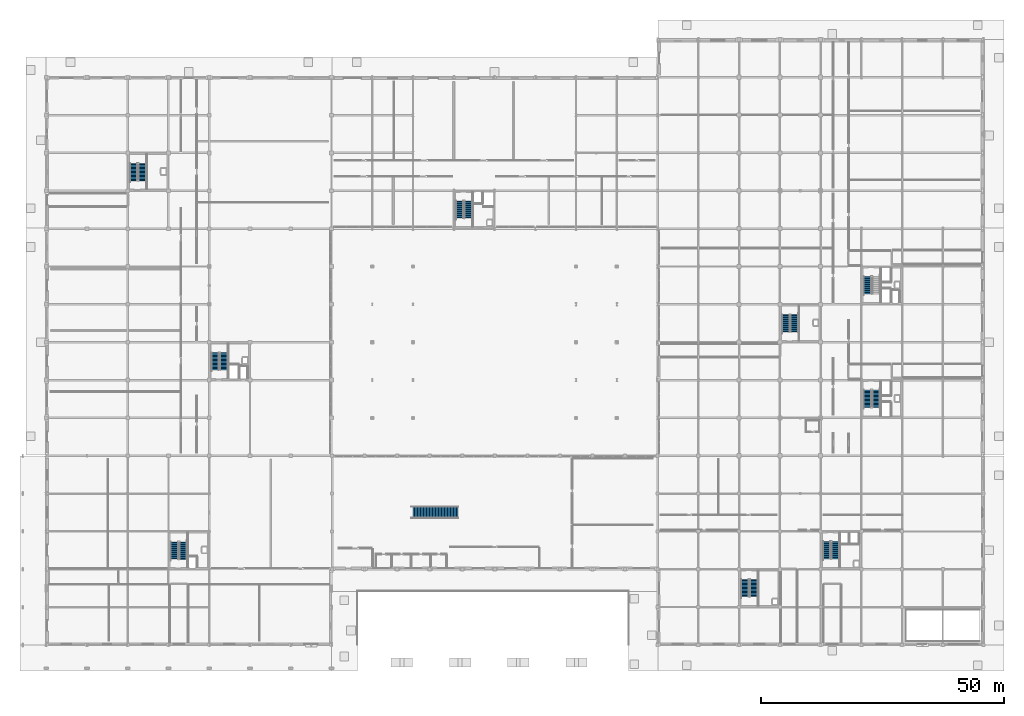
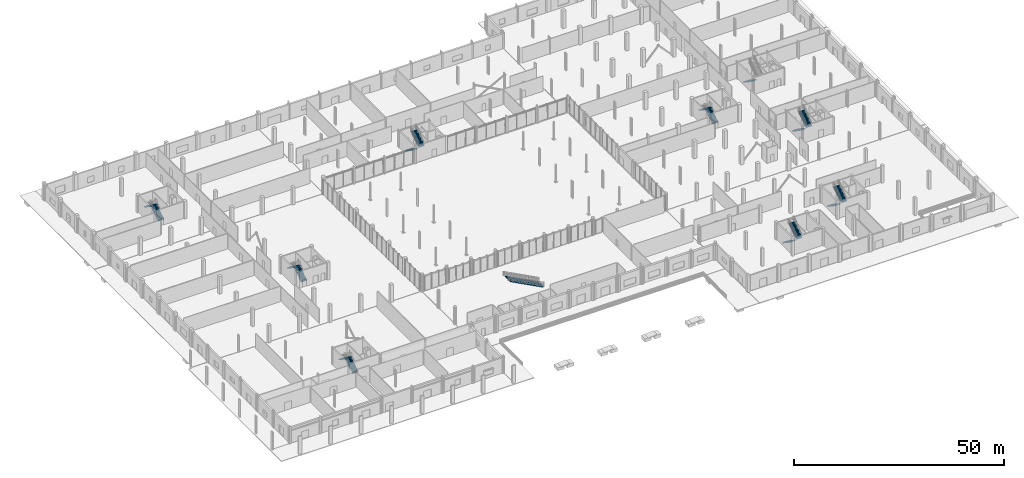
# One storey, part 60 of 80: 18 stair flights, 10 elements without a shape of their own.
"""IFC4 building model written with IfcOpenShell, lengths in metres."""

from ifc_helpers import new_model, si_unit, direction, frame, origin, place, context, subcontext, project, spatial, polyline, outline, extrude, material, type_object, element, aggregate, save


model = new_model("IFC4")

# Units and contexts
model_context = context("Model", 3, precision=1e-05, world=origin(), true_north=direction((0.0, 1.0)))
body_context = subcontext(model_context, "Body", "Model", "MODEL_VIEW")
ifc_project = project(units=[si_unit("LENGTHUNIT", "METRE"), si_unit("AREAUNIT", "SQUARE_METRE"), si_unit("VOLUMEUNIT", "CUBIC_METRE"), si_unit("PLANEANGLEUNIT", "RADIAN"), si_unit("MASSUNIT", "GRAM", prefix="KILO")], contexts=[model_context])

# Site, building, storey
site_placement = place(None, origin())
site = spatial("IfcSite", under=ifc_project, at=site_placement, CompositionType="ELEMENT")
building_placement = place(site_placement, origin())
building = spatial("IfcBuilding", under=site, at=building_placement, Name="Nabrawat Pavilion Hospital", CompositionType="ELEMENT")
storey_placement = place(building_placement, origin())
storey = spatial("IfcBuildingStorey", under=building, at=storey_placement, Name="L00", CompositionType="ELEMENT", Elevation=0.0)

# Stair, stair flight
ifc_material_1 = material(Name="Precast concrete C40/50", Category="concrete")
stair_type_1 = type_object("IfcStairType", Name="Monumental Pavilion Feature Straight Stair", PredefinedType="STRAIGHT_RUN_STAIR", material=ifc_material_1)
stair_1_placement = place(storey_placement, origin())
stair_1 = element("IfcStair", 1, at=stair_1_placement, inside=storey, type_object=stair_type_1, Name="L00 Main Concourse Monumental Gallery Stair", PredefinedType="STRAIGHT_RUN_STAIR")
stair_flight_type_1 = type_object("IfcStairFlightType", Name="Monumental Concourse Stair Flight 2400", PredefinedType="STRAIGHT", material=ifc_material_1)
stair_flight_1_placement = place(storey_placement, frame((84.89990234375, 27.300048828125, 0.0), z_axis=(0.0, 0.0, 1.0), x_axis=(-1.0, 0.0, 0.0)))
stair_flight_1 = element("IfcStairFlight", 2, at=stair_flight_1_placement, type_object=stair_flight_type_1, Name="L00 Main Concourse Monumental Gallery Stair Flight", NumberOfRisers=31, NumberOfTreads=30, PredefinedType="STRAIGHT", RiserHeight=0.16452, TreadLength=0.3102, context=body_context, shape_type="SweptSolid", body=[
    extrude(outline(polyline([(-0.008056640625, 0.0), (0.0, 0.0), (0.0, 0.16455078125), (0.310302734375, 0.16455078125), (0.310302734375, 0.3291015625), (0.620361328125, 0.3291015625), (0.620361328125, 0.49365234375), (0.9306640625, 0.49365234375), (0.9306640625, 0.657958984375), (1.24072265625, 0.657958984375), (1.24072265625, 0.822509765625), (1.551025390625, 0.822509765625), (1.551025390625, 0.987060546875), (1.861083984375, 0.987060546875), (1.861083984375, 1.151611328125), (2.17138671875, 1.151611328125), (2.17138671875, 1.316162109375), (2.481689453125, 1.316162109375), (2.481689453125, 1.480712890625), (2.791748046875, 1.480712890625), (2.791748046875, 1.645263671875), (3.10205078125, 1.645263671875), (3.10205078125, 1.809814453125), (3.412109375, 1.809814453125), (3.412109375, 1.97412109375), (3.722412109375, 1.97412109375), (3.722412109375, 2.138671875), (4.03271484375, 2.138671875), (4.03271484375, 2.30322265625), (4.3427734375, 2.30322265625), (4.3427734375, 2.4677734375), (4.653076171875, 2.4677734375), (4.653076171875, 2.63232421875), (4.963134765625, 2.63232421875), (4.963134765625, 2.796875), (5.2734375, 2.796875), (5.2734375, 2.96142578125), (5.58349609375, 2.96142578125), (5.58349609375, 3.1259765625), (5.893798828125, 3.1259765625), (5.893798828125, 3.290283203125), (6.2041015625, 3.290283203125), (6.2041015625, 3.454833984375), (6.51416015625, 3.454833984375), (6.51416015625, 3.619384765625), (6.824462890625, 3.619384765625), (6.824462890625, 3.783935546875), (7.134521484375, 3.783935546875), (7.134521484375, 3.948486328125), (7.44482421875, 3.948486328125), (7.44482421875, 4.113037109375), (7.7548828125, 4.113037109375), (7.7548828125, 4.277587890625), (8.065185546875, 4.277587890625), (8.065185546875, 4.442138671875), (8.37548828125, 4.442138671875), (8.37548828125, 4.6064453125), (8.685546875, 4.6064453125), (8.685546875, 4.77099609375), (8.995849609375, 4.77099609375), (8.995849609375, 4.935546875), (9.305908203125, 4.935546875), (9.305908203125, 5.10009765625), (9.31396484375, 5.10009765625), (9.31396484375, 4.900146484375), (9.305908203125, 4.709228515625), (0.4267578125, 0.0), (-0.008056640625, -0.1201171875), (-0.008056640625, 0.0)])), frame((0.0, 1.199951171875, 0.0), z_axis=(0.0, -1.0, 0.0), x_axis=(1.0, 0.0, 0.0)), (0.0, 0.0, 1.0), 2.39990234375),
])
aggregate(stair_1, [stair_flight_1])

# Stair, stair flights
ifc_material_2 = material(Name="Concrete C35/45", Category="concrete")
stair_type_2 = type_object("IfcStairType", Name="Core Dogleg Escape Stair Assembly", PredefinedType="HALF_TURN_STAIR", material=ifc_material_2)
stair_2_placement = place(storey_placement, origin())
stair_2 = element("IfcStair", 3, at=stair_2_placement, inside=storey, type_object=stair_type_2, Name="L00 Emergency Stair and Lift Core 1", PredefinedType="HALF_TURN_STAIR")
stair_flight_type_2 = type_object("IfcStairFlightType", Name="Reinforced Concrete Escape Stair Flight 1600", PredefinedType="STRAIGHT", material=ifc_material_2)
stair_flight_2_placement = place(storey_placement, frame((28.25, 17.669921875, 0.0), z_axis=(0.0, 0.0, 1.0), x_axis=(0.0, 1.0, 0.0)))
stair_flight_2 = element("IfcStairFlight", 4, at=stair_flight_2_placement, type_object=stair_flight_type_2, Name="ST-01 flight 1", NumberOfRisers=14, NumberOfTreads=13, PredefinedType="STRAIGHT", RiserHeight=0.182142857, TreadLength=0.275, context=body_context, shape_type="SweptSolid", body=[
    extrude(outline(polyline([(-0.008056640625, 0.0), (0.0, 0.0), (0.0, 0.18212890625), (0.27490234375, 0.18212890625), (0.27490234375, 0.3642578125), (0.550048828125, 0.3642578125), (0.550048828125, 0.54638671875), (0.824951171875, 0.54638671875), (0.824951171875, 0.728515625), (1.10009765625, 0.728515625), (1.10009765625, 0.91064453125), (1.375, 0.91064453125), (1.375, 1.0927734375), (1.64990234375, 1.0927734375), (1.64990234375, 1.27490234375), (1.925048828125, 1.27490234375), (1.925048828125, 1.45703125), (2.199951171875, 1.45703125), (2.199951171875, 1.639404296875), (2.47509765625, 1.639404296875), (2.47509765625, 1.821533203125), (2.75, 1.821533203125), (2.75, 2.003662109375), (3.02490234375, 2.003662109375), (3.02490234375, 2.185791015625), (3.300048828125, 2.185791015625), (3.300048828125, 2.367919921875), (3.574951171875, 2.367919921875), (3.574951171875, 2.550048828125), (3.5830078125, 2.550048828125), (3.5830078125, 2.400146484375), (3.574951171875, 2.18798828125), (0.271484375, 0.0), (-0.008056640625, -0.1201171875), (-0.008056640625, 0.0)])), frame((0.0, 0.800048828125, 0.0), z_axis=(0.0, -1.0, 0.0), x_axis=(1.0, 0.0, 0.0)), (0.0, 0.0, 1.0), 1.60009765625),
])
stair_flight_3_placement = place(storey_placement, frame((26.449951171875, 21.2451171875, 2.550048828125), z_axis=(0.0, 0.0, 1.0), x_axis=(0.0, -1.0, 0.0)))
stair_flight_3 = element("IfcStairFlight", 5, at=stair_flight_3_placement, type_object=stair_flight_type_2, Name="ST-01 flight 2", NumberOfRisers=14, NumberOfTreads=13, PredefinedType="STRAIGHT", RiserHeight=0.182142857, TreadLength=0.275, context=body_context, shape_type="SweptSolid", body=[
    extrude(outline(polyline([(-0.008056640625, 0.0), (0.0, 0.0), (0.0, 0.18212890625), (0.27490234375, 0.18212890625), (0.27490234375, 0.3642578125), (0.550048828125, 0.3642578125), (0.550048828125, 0.54638671875), (0.824951171875, 0.54638671875), (0.824951171875, 0.728515625), (1.10009765625, 0.728515625), (1.10009765625, 0.91064453125), (1.375, 0.91064453125), (1.375, 1.0927734375), (1.64990234375, 1.0927734375), (1.64990234375, 1.27490234375), (1.925048828125, 1.27490234375), (1.925048828125, 1.45703125), (2.199951171875, 1.45703125), (2.199951171875, 1.639404296875), (2.47509765625, 1.639404296875), (2.47509765625, 1.821533203125), (2.75, 1.821533203125), (2.75, 2.003662109375), (3.02490234375, 2.003662109375), (3.02490234375, 2.185791015625), (3.300048828125, 2.185791015625), (3.300048828125, 2.367919921875), (3.574951171875, 2.367919921875), (3.574951171875, 2.550048828125), (3.5830078125, 2.550048828125), (3.5830078125, 2.400146484375), (3.574951171875, 2.18798828125), (0.271484375, 0.0), (-0.008056640625, -0.1201171875), (-0.008056640625, 0.0)])), frame((0.0, 0.800048828125, 0.0), z_axis=(0.0, -1.0, 0.0), x_axis=(1.0, 0.0, 0.0)), (0.0, 0.0, 1.0), 1.60009765625),
])
aggregate(stair_2, [stair_flight_2, stair_flight_3])

stair_3_placement = place(storey_placement, origin())
stair_3 = element("IfcStair", 6, at=stair_3_placement, inside=storey, type_object=stair_type_2, Name="L00 Surgical Stair and Bed-Lift Core 2", PredefinedType="HALF_TURN_STAIR")
stair_flight_4_placement = place(storey_placement, frame((36.64990234375, 56.669921875, 0.0), z_axis=(0.0, 0.0, 1.0), x_axis=(0.0, 1.0, 0.0)))
stair_flight_4 = element("IfcStairFlight", 7, at=stair_flight_4_placement, type_object=stair_flight_type_2, Name="ST-02 flight 1", NumberOfRisers=14, NumberOfTreads=13, PredefinedType="STRAIGHT", RiserHeight=0.182142857, TreadLength=0.275, context=body_context, shape_type="SweptSolid", body=[
    extrude(outline(polyline([(-0.008056640625, 0.0), (0.0, 0.0), (0.0, 0.18212890625), (0.27490234375, 0.18212890625), (0.27490234375, 0.3642578125), (0.550048828125, 0.3642578125), (0.550048828125, 0.54638671875), (0.824951171875, 0.54638671875), (0.824951171875, 0.728515625), (1.10009765625, 0.728515625), (1.10009765625, 0.91064453125), (1.375, 0.91064453125), (1.375, 1.0927734375), (1.64990234375, 1.0927734375), (1.64990234375, 1.27490234375), (1.925048828125, 1.27490234375), (1.925048828125, 1.45703125), (2.199951171875, 1.45703125), (2.199951171875, 1.639404296875), (2.47509765625, 1.639404296875), (2.47509765625, 1.821533203125), (2.75, 1.821533203125), (2.75, 2.003662109375), (3.02490234375, 2.003662109375), (3.02490234375, 2.185791015625), (3.300048828125, 2.185791015625), (3.300048828125, 2.367919921875), (3.574951171875, 2.367919921875), (3.574951171875, 2.550048828125), (3.5830078125, 2.550048828125), (3.5830078125, 2.400146484375), (3.574951171875, 2.18798828125), (0.271484375, 0.0), (-0.008056640625, -0.1201171875), (-0.008056640625, 0.0)])), frame((0.0, 0.800048828125, 0.0), z_axis=(0.0, -1.0, 0.0), x_axis=(1.0, 0.0, 0.0)), (0.0, 0.0, 1.0), 1.60009765625),
])
stair_flight_5_placement = place(storey_placement, frame((34.85009765625, 60.2451171875, 2.550048828125), z_axis=(0.0, 0.0, 1.0), x_axis=(0.0, -1.0, 0.0)))
stair_flight_5 = element("IfcStairFlight", 8, at=stair_flight_5_placement, type_object=stair_flight_type_2, Name="ST-02 flight 2", NumberOfRisers=14, NumberOfTreads=13, PredefinedType="STRAIGHT", RiserHeight=0.182142857, TreadLength=0.275, context=body_context, shape_type="SweptSolid", body=[
    extrude(outline(polyline([(-0.008056640625, 0.0), (0.0, 0.0), (0.0, 0.18212890625), (0.27490234375, 0.18212890625), (0.27490234375, 0.3642578125), (0.550048828125, 0.3642578125), (0.550048828125, 0.54638671875), (0.824951171875, 0.54638671875), (0.824951171875, 0.728515625), (1.10009765625, 0.728515625), (1.10009765625, 0.91064453125), (1.375, 0.91064453125), (1.375, 1.0927734375), (1.64990234375, 1.0927734375), (1.64990234375, 1.27490234375), (1.925048828125, 1.27490234375), (1.925048828125, 1.45703125), (2.199951171875, 1.45703125), (2.199951171875, 1.639404296875), (2.47509765625, 1.639404296875), (2.47509765625, 1.821533203125), (2.75, 1.821533203125), (2.75, 2.003662109375), (3.02490234375, 2.003662109375), (3.02490234375, 2.185791015625), (3.300048828125, 2.185791015625), (3.300048828125, 2.367919921875), (3.574951171875, 2.367919921875), (3.574951171875, 2.550048828125), (3.5830078125, 2.550048828125), (3.5830078125, 2.400146484375), (3.574951171875, 2.18798828125), (0.271484375, 0.0), (-0.008056640625, -0.1201171875), (-0.008056640625, 0.0)])), frame((0.0, 0.800048828125, 0.0), z_axis=(0.0, -1.0, 0.0), x_axis=(1.0, 0.0, 0.0)), (0.0, 0.0, 1.0), 1.60009765625),
])
aggregate(stair_3, [stair_flight_4, stair_flight_5])

stair_4_placement = place(storey_placement, origin())
stair_4 = element("IfcStair", 9, at=stair_4_placement, inside=storey, type_object=stair_type_2, Name="L00 Diagnostic and Main Hall Core 3", PredefinedType="HALF_TURN_STAIR")
stair_flight_6_placement = place(storey_placement, frame((85.25, 91.530029296875, 0.0), z_axis=(0.0, 0.0, 1.0), x_axis=(0.0, -1.0, 0.0)))
stair_flight_6 = element("IfcStairFlight", 10, at=stair_flight_6_placement, type_object=stair_flight_type_2, Name="ST-03 flight 1", NumberOfRisers=14, NumberOfTreads=13, PredefinedType="STRAIGHT", RiserHeight=0.182142857, TreadLength=0.275, context=body_context, shape_type="SweptSolid", body=[
    extrude(outline(polyline([(-0.008056640625, 0.0), (0.0, 0.0), (0.0, 0.18212890625), (0.27490234375, 0.18212890625), (0.27490234375, 0.3642578125), (0.550048828125, 0.3642578125), (0.550048828125, 0.54638671875), (0.824951171875, 0.54638671875), (0.824951171875, 0.728515625), (1.10009765625, 0.728515625), (1.10009765625, 0.91064453125), (1.375, 0.91064453125), (1.375, 1.0927734375), (1.64990234375, 1.0927734375), (1.64990234375, 1.27490234375), (1.925048828125, 1.27490234375), (1.925048828125, 1.45703125), (2.199951171875, 1.45703125), (2.199951171875, 1.639404296875), (2.47509765625, 1.639404296875), (2.47509765625, 1.821533203125), (2.75, 1.821533203125), (2.75, 2.003662109375), (3.02490234375, 2.003662109375), (3.02490234375, 2.185791015625), (3.300048828125, 2.185791015625), (3.300048828125, 2.367919921875), (3.574951171875, 2.367919921875), (3.574951171875, 2.550048828125), (3.5830078125, 2.550048828125), (3.5830078125, 2.400146484375), (3.574951171875, 2.18798828125), (0.271484375, 0.0), (-0.008056640625, -0.1201171875), (-0.008056640625, 0.0)])), frame((0.0, 0.800048828125, 0.0), z_axis=(0.0, -1.0, 0.0), x_axis=(1.0, 0.0, 0.0)), (0.0, 0.0, 1.0), 1.60009765625),
])
stair_flight_7_placement = place(storey_placement, frame((87.050048828125, 87.955078125, 2.550048828125), z_axis=(0.0, 0.0, 1.0), x_axis=(0.0, 1.0, 0.0)))
stair_flight_7 = element("IfcStairFlight", 11, at=stair_flight_7_placement, type_object=stair_flight_type_2, Name="ST-03 flight 2", NumberOfRisers=14, NumberOfTreads=13, PredefinedType="STRAIGHT", RiserHeight=0.182142857, TreadLength=0.275, context=body_context, shape_type="SweptSolid", body=[
    extrude(outline(polyline([(-0.008056640625, 0.0), (0.0, 0.0), (0.0, 0.18212890625), (0.27490234375, 0.18212890625), (0.27490234375, 0.3642578125), (0.550048828125, 0.3642578125), (0.550048828125, 0.54638671875), (0.824951171875, 0.54638671875), (0.824951171875, 0.728515625), (1.10009765625, 0.728515625), (1.10009765625, 0.91064453125), (1.375, 0.91064453125), (1.375, 1.0927734375), (1.64990234375, 1.0927734375), (1.64990234375, 1.27490234375), (1.925048828125, 1.27490234375), (1.925048828125, 1.45703125), (2.199951171875, 1.45703125), (2.199951171875, 1.639404296875), (2.47509765625, 1.639404296875), (2.47509765625, 1.821533203125), (2.75, 1.821533203125), (2.75, 2.003662109375), (3.02490234375, 2.003662109375), (3.02490234375, 2.185791015625), (3.300048828125, 2.185791015625), (3.300048828125, 2.367919921875), (3.574951171875, 2.367919921875), (3.574951171875, 2.550048828125), (3.5830078125, 2.550048828125), (3.5830078125, 2.400146484375), (3.574951171875, 2.18798828125), (0.271484375, 0.0), (-0.008056640625, -0.1201171875), (-0.008056640625, 0.0)])), frame((0.0, 0.800048828125, 0.0), z_axis=(0.0, -1.0, 0.0), x_axis=(1.0, 0.0, 0.0)), (0.0, 0.0, 1.0), 1.60009765625),
])
aggregate(stair_4, [stair_flight_6, stair_flight_7])

stair_5_placement = place(storey_placement, origin())
stair_5 = element("IfcStair", 12, at=stair_5_placement, inside=storey, type_object=stair_type_2, Name="L00 Outpatient Clinics Core 4", PredefinedType="HALF_TURN_STAIR")
stair_flight_8_placement = place(storey_placement, frame((160.85009765625, 21.330078125, 0.0), z_axis=(0.0, 0.0, 1.0), x_axis=(0.0, -1.0, 0.0)))
stair_flight_8 = element("IfcStairFlight", 13, at=stair_flight_8_placement, type_object=stair_flight_type_2, Name="ST-04 flight 1", NumberOfRisers=14, NumberOfTreads=13, PredefinedType="STRAIGHT", RiserHeight=0.182142857, TreadLength=0.275, context=body_context, shape_type="SweptSolid", body=[
    extrude(outline(polyline([(-0.008056640625, 0.0), (0.0, 0.0), (0.0, 0.18212890625), (0.27490234375, 0.18212890625), (0.27490234375, 0.3642578125), (0.550048828125, 0.3642578125), (0.550048828125, 0.54638671875), (0.824951171875, 0.54638671875), (0.824951171875, 0.728515625), (1.10009765625, 0.728515625), (1.10009765625, 0.91064453125), (1.375, 0.91064453125), (1.375, 1.0927734375), (1.64990234375, 1.0927734375), (1.64990234375, 1.27490234375), (1.925048828125, 1.27490234375), (1.925048828125, 1.45703125), (2.199951171875, 1.45703125), (2.199951171875, 1.639404296875), (2.47509765625, 1.639404296875), (2.47509765625, 1.821533203125), (2.75, 1.821533203125), (2.75, 2.003662109375), (3.02490234375, 2.003662109375), (3.02490234375, 2.185791015625), (3.300048828125, 2.185791015625), (3.300048828125, 2.367919921875), (3.574951171875, 2.367919921875), (3.574951171875, 2.550048828125), (3.5830078125, 2.550048828125), (3.5830078125, 2.400146484375), (3.574951171875, 2.18798828125), (0.271484375, 0.0), (-0.008056640625, -0.1201171875), (-0.008056640625, 0.0)])), frame((0.0, 0.800048828125, 0.0), z_axis=(0.0, -1.0, 0.0), x_axis=(1.0, 0.0, 0.0)), (0.0, 0.0, 1.0), 1.60009765625),
])
stair_flight_9_placement = place(storey_placement, frame((162.64990234375, 17.7548828125, 2.550048828125), z_axis=(0.0, 0.0, 1.0), x_axis=(0.0, 1.0, 0.0)))
stair_flight_9 = element("IfcStairFlight", 14, at=stair_flight_9_placement, type_object=stair_flight_type_2, Name="ST-04 flight 2", NumberOfRisers=14, NumberOfTreads=13, PredefinedType="STRAIGHT", RiserHeight=0.182142857, TreadLength=0.275, context=body_context, shape_type="SweptSolid", body=[
    extrude(outline(polyline([(-0.008056640625, 0.0), (0.0, 0.0), (0.0, 0.18212890625), (0.27490234375, 0.18212890625), (0.27490234375, 0.3642578125), (0.550048828125, 0.3642578125), (0.550048828125, 0.54638671875), (0.824951171875, 0.54638671875), (0.824951171875, 0.728515625), (1.10009765625, 0.728515625), (1.10009765625, 0.91064453125), (1.375, 0.91064453125), (1.375, 1.0927734375), (1.64990234375, 1.0927734375), (1.64990234375, 1.27490234375), (1.925048828125, 1.27490234375), (1.925048828125, 1.45703125), (2.199951171875, 1.45703125), (2.199951171875, 1.639404296875), (2.47509765625, 1.639404296875), (2.47509765625, 1.821533203125), (2.75, 1.821533203125), (2.75, 2.003662109375), (3.02490234375, 2.003662109375), (3.02490234375, 2.185791015625), (3.300048828125, 2.185791015625), (3.300048828125, 2.367919921875), (3.574951171875, 2.367919921875), (3.574951171875, 2.550048828125), (3.5830078125, 2.550048828125), (3.5830078125, 2.400146484375), (3.574951171875, 2.18798828125), (0.271484375, 0.0), (-0.008056640625, -0.1201171875), (-0.008056640625, 0.0)])), frame((0.0, 0.800048828125, 0.0), z_axis=(0.0, -1.0, 0.0), x_axis=(1.0, 0.0, 0.0)), (0.0, 0.0, 1.0), 1.60009765625),
])
aggregate(stair_5, [stair_flight_8, stair_flight_9])

stair_type_3 = type_object("IfcStairType", Name="Ward Upper Dogleg Escape Stair Assembly", PredefinedType="HALF_TURN_STAIR", material=ifc_material_2)
stair_6_placement = place(storey_placement, origin())
stair_6 = element("IfcStair", 15, at=stair_6_placement, inside=storey, type_object=stair_type_3, Name="L00 Inpatient South Firefighting Core 5", PredefinedType="HALF_TURN_STAIR")
stair_flight_10_placement = place(storey_placement, frame((169.25, 52.530029296875, 0.0), z_axis=(0.0, 0.0, 1.0), x_axis=(0.0, -1.0, 0.0)))
stair_flight_10 = element("IfcStairFlight", 16, at=stair_flight_10_placement, type_object=stair_flight_type_2, Name="ST-05 flight 1", NumberOfRisers=14, NumberOfTreads=13, PredefinedType="STRAIGHT", RiserHeight=0.182142857, TreadLength=0.275, context=body_context, shape_type="SweptSolid", body=[
    extrude(outline(polyline([(-0.008056640625, 0.0), (0.0, 0.0), (0.0, 0.18212890625), (0.27490234375, 0.18212890625), (0.27490234375, 0.3642578125), (0.550048828125, 0.3642578125), (0.550048828125, 0.54638671875), (0.824951171875, 0.54638671875), (0.824951171875, 0.728515625), (1.10009765625, 0.728515625), (1.10009765625, 0.91064453125), (1.375, 0.91064453125), (1.375, 1.0927734375), (1.64990234375, 1.0927734375), (1.64990234375, 1.27490234375), (1.925048828125, 1.27490234375), (1.925048828125, 1.45703125), (2.199951171875, 1.45703125), (2.199951171875, 1.639404296875), (2.47509765625, 1.639404296875), (2.47509765625, 1.821533203125), (2.75, 1.821533203125), (2.75, 2.003662109375), (3.02490234375, 2.003662109375), (3.02490234375, 2.185791015625), (3.300048828125, 2.185791015625), (3.300048828125, 2.367919921875), (3.574951171875, 2.367919921875), (3.574951171875, 2.550048828125), (3.5830078125, 2.550048828125), (3.5830078125, 2.400146484375), (3.574951171875, 2.18798828125), (0.271484375, 0.0), (-0.008056640625, -0.1201171875), (-0.008056640625, 0.0)])), frame((0.0, 0.800048828125, 0.0), z_axis=(0.0, -1.0, 0.0), x_axis=(1.0, 0.0, 0.0)), (0.0, 0.0, 1.0), 1.60009765625),
])
stair_flight_11_placement = place(storey_placement, frame((171.050048828125, 48.955078125, 2.550048828125), z_axis=(0.0, 0.0, 1.0), x_axis=(0.0, 1.0, 0.0)))
stair_flight_11 = element("IfcStairFlight", 17, at=stair_flight_11_placement, type_object=stair_flight_type_2, Name="ST-05 flight 2", NumberOfRisers=14, NumberOfTreads=13, PredefinedType="STRAIGHT", RiserHeight=0.182142857, TreadLength=0.275, context=body_context, shape_type="SweptSolid", body=[
    extrude(outline(polyline([(-0.008056640625, 0.0), (0.0, 0.0), (0.0, 0.18212890625), (0.27490234375, 0.18212890625), (0.27490234375, 0.3642578125), (0.550048828125, 0.3642578125), (0.550048828125, 0.54638671875), (0.824951171875, 0.54638671875), (0.824951171875, 0.728515625), (1.10009765625, 0.728515625), (1.10009765625, 0.91064453125), (1.375, 0.91064453125), (1.375, 1.0927734375), (1.64990234375, 1.0927734375), (1.64990234375, 1.27490234375), (1.925048828125, 1.27490234375), (1.925048828125, 1.45703125), (2.199951171875, 1.45703125), (2.199951171875, 1.639404296875), (2.47509765625, 1.639404296875), (2.47509765625, 1.821533203125), (2.75, 1.821533203125), (2.75, 2.003662109375), (3.02490234375, 2.003662109375), (3.02490234375, 2.185791015625), (3.300048828125, 2.185791015625), (3.300048828125, 2.367919921875), (3.574951171875, 2.367919921875), (3.574951171875, 2.550048828125), (3.5830078125, 2.550048828125), (3.5830078125, 2.400146484375), (3.574951171875, 2.18798828125), (0.271484375, 0.0), (-0.008056640625, -0.1201171875), (-0.008056640625, 0.0)])), frame((0.0, 0.800048828125, 0.0), z_axis=(0.0, -1.0, 0.0), x_axis=(1.0, 0.0, 0.0)), (0.0, 0.0, 1.0), 1.60009765625),
])
aggregate(stair_6, [stair_flight_10, stair_flight_11])

# Stair, stair flight
stair_7_placement = place(storey_placement, origin())
stair_7 = element("IfcStair", 18, at=stair_7_placement, inside=storey, type_object=stair_type_3, Name="L00 Inpatient North Firefighting Core 6", PredefinedType="HALF_TURN_STAIR")
stair_flight_12_placement = place(storey_placement, frame((169.25, 75.929931640625, 0.0), z_axis=(0.0, 0.0, 1.0), x_axis=(0.0, -1.0, 0.0)))
stair_flight_12 = element("IfcStairFlight", 19, at=stair_flight_12_placement, type_object=stair_flight_type_2, Name="ST-06 flight 1", NumberOfRisers=14, NumberOfTreads=13, PredefinedType="STRAIGHT", RiserHeight=0.182142857, TreadLength=0.275, context=body_context, shape_type="SweptSolid", body=[
    extrude(outline(polyline([(-0.008056640625, 0.0), (0.0, 0.0), (0.0, 0.18212890625), (0.27490234375, 0.18212890625), (0.27490234375, 0.3642578125), (0.550048828125, 0.3642578125), (0.550048828125, 0.54638671875), (0.824951171875, 0.54638671875), (0.824951171875, 0.728515625), (1.10009765625, 0.728515625), (1.10009765625, 0.91064453125), (1.375, 0.91064453125), (1.375, 1.0927734375), (1.64990234375, 1.0927734375), (1.64990234375, 1.27490234375), (1.925048828125, 1.27490234375), (1.925048828125, 1.45703125), (2.199951171875, 1.45703125), (2.199951171875, 1.639404296875), (2.47509765625, 1.639404296875), (2.47509765625, 1.821533203125), (2.75, 1.821533203125), (2.75, 2.003662109375), (3.02490234375, 2.003662109375), (3.02490234375, 2.185791015625), (3.300048828125, 2.185791015625), (3.300048828125, 2.367919921875), (3.574951171875, 2.367919921875), (3.574951171875, 2.550048828125), (3.5830078125, 2.550048828125), (3.5830078125, 2.400146484375), (3.574951171875, 2.18798828125), (0.271484375, 0.0), (-0.008056640625, -0.1201171875), (-0.008056640625, 0.0)])), frame((0.0, 0.800048828125, 0.0), z_axis=(0.0, -1.0, 0.0), x_axis=(1.0, 0.0, 0.0)), (0.0, 0.0, 1.0), 1.60009765625),
])
aggregate(stair_7, [stair_flight_12])

# Stair, stair flights
stair_8_placement = place(storey_placement, origin())
stair_8 = element("IfcStair", 20, at=stair_8_placement, inside=storey, type_object=stair_type_2, Name="L00 Surgical North Escape Stair Core 7", PredefinedType="HALF_TURN_STAIR")
stair_flight_13_placement = place(storey_placement, frame((19.85009765625, 95.669921875, 0.0), z_axis=(0.0, 0.0, 1.0), x_axis=(0.0, 1.0, 0.0)))
stair_flight_13 = element("IfcStairFlight", 21, at=stair_flight_13_placement, type_object=stair_flight_type_2, Name="ST-07 flight 1", NumberOfRisers=14, NumberOfTreads=13, PredefinedType="STRAIGHT", RiserHeight=0.182142857, TreadLength=0.275, context=body_context, shape_type="SweptSolid", body=[
    extrude(outline(polyline([(-0.008056640625, 0.0), (0.0, 0.0), (0.0, 0.18212890625), (0.27490234375, 0.18212890625), (0.27490234375, 0.3642578125), (0.550048828125, 0.3642578125), (0.550048828125, 0.54638671875), (0.824951171875, 0.54638671875), (0.824951171875, 0.728515625), (1.10009765625, 0.728515625), (1.10009765625, 0.91064453125), (1.375, 0.91064453125), (1.375, 1.0927734375), (1.64990234375, 1.0927734375), (1.64990234375, 1.27490234375), (1.925048828125, 1.27490234375), (1.925048828125, 1.45703125), (2.199951171875, 1.45703125), (2.199951171875, 1.639404296875), (2.47509765625, 1.639404296875), (2.47509765625, 1.821533203125), (2.75, 1.821533203125), (2.75, 2.003662109375), (3.02490234375, 2.003662109375), (3.02490234375, 2.185791015625), (3.300048828125, 2.185791015625), (3.300048828125, 2.367919921875), (3.574951171875, 2.367919921875), (3.574951171875, 2.550048828125), (3.5830078125, 2.550048828125), (3.5830078125, 2.400146484375), (3.574951171875, 2.18798828125), (0.271484375, 0.0), (-0.008056640625, -0.1201171875), (-0.008056640625, 0.0)])), frame((0.0, 0.800048828125, 0.0), z_axis=(0.0, -1.0, 0.0), x_axis=(1.0, 0.0, 0.0)), (0.0, 0.0, 1.0), 1.60009765625),
])
stair_flight_14_placement = place(storey_placement, frame((18.050048828125, 99.2451171875, 2.550048828125), z_axis=(0.0, 0.0, 1.0), x_axis=(0.0, -1.0, 0.0)))
stair_flight_14 = element("IfcStairFlight", 22, at=stair_flight_14_placement, type_object=stair_flight_type_2, Name="ST-07 flight 2", NumberOfRisers=14, NumberOfTreads=13, PredefinedType="STRAIGHT", RiserHeight=0.182142857, TreadLength=0.275, context=body_context, shape_type="SweptSolid", body=[
    extrude(outline(polyline([(-0.008056640625, 0.0), (0.0, 0.0), (0.0, 0.18212890625), (0.27490234375, 0.18212890625), (0.27490234375, 0.3642578125), (0.550048828125, 0.3642578125), (0.550048828125, 0.54638671875), (0.824951171875, 0.54638671875), (0.824951171875, 0.728515625), (1.10009765625, 0.728515625), (1.10009765625, 0.91064453125), (1.375, 0.91064453125), (1.375, 1.0927734375), (1.64990234375, 1.0927734375), (1.64990234375, 1.27490234375), (1.925048828125, 1.27490234375), (1.925048828125, 1.45703125), (2.199951171875, 1.45703125), (2.199951171875, 1.639404296875), (2.47509765625, 1.639404296875), (2.47509765625, 1.821533203125), (2.75, 1.821533203125), (2.75, 2.003662109375), (3.02490234375, 2.003662109375), (3.02490234375, 2.185791015625), (3.300048828125, 2.185791015625), (3.300048828125, 2.367919921875), (3.574951171875, 2.367919921875), (3.574951171875, 2.550048828125), (3.5830078125, 2.550048828125), (3.5830078125, 2.400146484375), (3.574951171875, 2.18798828125), (0.271484375, 0.0), (-0.008056640625, -0.1201171875), (-0.008056640625, 0.0)])), frame((0.0, 0.800048828125, 0.0), z_axis=(0.0, -1.0, 0.0), x_axis=(1.0, 0.0, 0.0)), (0.0, 0.0, 1.0), 1.60009765625),
])
aggregate(stair_8, [stair_flight_13, stair_flight_14])

stair_9_placement = place(storey_placement, origin())
stair_9 = element("IfcStair", 23, at=stair_9_placement, inside=storey, type_object=stair_type_2, Name="L00 Outpatient West Escape Stair Core 8", PredefinedType="HALF_TURN_STAIR")
stair_flight_15_placement = place(storey_placement, frame((144.050048828125, 13.530029296875, 0.0), z_axis=(0.0, 0.0, 1.0), x_axis=(0.0, -1.0, 0.0)))
stair_flight_15 = element("IfcStairFlight", 24, at=stair_flight_15_placement, type_object=stair_flight_type_2, Name="ST-08 flight 1", NumberOfRisers=14, NumberOfTreads=13, PredefinedType="STRAIGHT", RiserHeight=0.182142857, TreadLength=0.275, context=body_context, shape_type="SweptSolid", body=[
    extrude(outline(polyline([(-0.008056640625, 0.0), (0.0, 0.0), (0.0, 0.18212890625), (0.27490234375, 0.18212890625), (0.27490234375, 0.3642578125), (0.550048828125, 0.3642578125), (0.550048828125, 0.54638671875), (0.824951171875, 0.54638671875), (0.824951171875, 0.728515625), (1.10009765625, 0.728515625), (1.10009765625, 0.91064453125), (1.375, 0.91064453125), (1.375, 1.0927734375), (1.64990234375, 1.0927734375), (1.64990234375, 1.27490234375), (1.925048828125, 1.27490234375), (1.925048828125, 1.45703125), (2.199951171875, 1.45703125), (2.199951171875, 1.639404296875), (2.47509765625, 1.639404296875), (2.47509765625, 1.821533203125), (2.75, 1.821533203125), (2.75, 2.003662109375), (3.02490234375, 2.003662109375), (3.02490234375, 2.185791015625), (3.300048828125, 2.185791015625), (3.300048828125, 2.367919921875), (3.574951171875, 2.367919921875), (3.574951171875, 2.550048828125), (3.5830078125, 2.550048828125), (3.5830078125, 2.400146484375), (3.574951171875, 2.18798828125), (0.271484375, 0.0), (-0.008056640625, -0.1201171875), (-0.008056640625, 0.0)])), frame((0.0, 0.800048828125, 0.0), z_axis=(0.0, -1.0, 0.0), x_axis=(1.0, 0.0, 0.0)), (0.0, 0.0, 1.0), 1.60009765625),
])
stair_flight_16_placement = place(storey_placement, frame((145.85009765625, 9.955078125, 2.550048828125), z_axis=(0.0, 0.0, 1.0), x_axis=(0.0, 1.0, 0.0)))
stair_flight_16 = element("IfcStairFlight", 25, at=stair_flight_16_placement, type_object=stair_flight_type_2, Name="ST-08 flight 2", NumberOfRisers=14, NumberOfTreads=13, PredefinedType="STRAIGHT", RiserHeight=0.182142857, TreadLength=0.275, context=body_context, shape_type="SweptSolid", body=[
    extrude(outline(polyline([(-0.008056640625, 0.0), (0.0, 0.0), (0.0, 0.18212890625), (0.27490234375, 0.18212890625), (0.27490234375, 0.3642578125), (0.550048828125, 0.3642578125), (0.550048828125, 0.54638671875), (0.824951171875, 0.54638671875), (0.824951171875, 0.728515625), (1.10009765625, 0.728515625), (1.10009765625, 0.91064453125), (1.375, 0.91064453125), (1.375, 1.0927734375), (1.64990234375, 1.0927734375), (1.64990234375, 1.27490234375), (1.925048828125, 1.27490234375), (1.925048828125, 1.45703125), (2.199951171875, 1.45703125), (2.199951171875, 1.639404296875), (2.47509765625, 1.639404296875), (2.47509765625, 1.821533203125), (2.75, 1.821533203125), (2.75, 2.003662109375), (3.02490234375, 2.003662109375), (3.02490234375, 2.185791015625), (3.300048828125, 2.185791015625), (3.300048828125, 2.367919921875), (3.574951171875, 2.367919921875), (3.574951171875, 2.550048828125), (3.5830078125, 2.550048828125), (3.5830078125, 2.400146484375), (3.574951171875, 2.18798828125), (0.271484375, 0.0), (-0.008056640625, -0.1201171875), (-0.008056640625, 0.0)])), frame((0.0, 0.800048828125, 0.0), z_axis=(0.0, -1.0, 0.0), x_axis=(1.0, 0.0, 0.0)), (0.0, 0.0, 1.0), 1.60009765625),
])
aggregate(stair_9, [stair_flight_15, stair_flight_16])

stair_10_placement = place(storey_placement, origin())
stair_10 = element("IfcStair", 26, at=stair_10_placement, inside=storey, type_object=stair_type_3, Name="L00 Inpatient West Escape Stair Core 9", PredefinedType="HALF_TURN_STAIR")
stair_flight_17_placement = place(storey_placement, frame((154.25, 64.469970703125, 0.0), z_axis=(0.0, 0.0, 1.0), x_axis=(0.0, 1.0, 0.0)))
stair_flight_17 = element("IfcStairFlight", 27, at=stair_flight_17_placement, type_object=stair_flight_type_2, Name="ST-09 flight 1", NumberOfRisers=14, NumberOfTreads=13, PredefinedType="STRAIGHT", RiserHeight=0.182142857, TreadLength=0.275, context=body_context, shape_type="SweptSolid", body=[
    extrude(outline(polyline([(-0.008056640625, 0.0), (0.0, 0.0), (0.0, 0.18212890625), (0.27490234375, 0.18212890625), (0.27490234375, 0.3642578125), (0.550048828125, 0.3642578125), (0.550048828125, 0.54638671875), (0.824951171875, 0.54638671875), (0.824951171875, 0.728515625), (1.10009765625, 0.728515625), (1.10009765625, 0.91064453125), (1.375, 0.91064453125), (1.375, 1.0927734375), (1.64990234375, 1.0927734375), (1.64990234375, 1.27490234375), (1.925048828125, 1.27490234375), (1.925048828125, 1.45703125), (2.199951171875, 1.45703125), (2.199951171875, 1.639404296875), (2.47509765625, 1.639404296875), (2.47509765625, 1.821533203125), (2.75, 1.821533203125), (2.75, 2.003662109375), (3.02490234375, 2.003662109375), (3.02490234375, 2.185791015625), (3.300048828125, 2.185791015625), (3.300048828125, 2.367919921875), (3.574951171875, 2.367919921875), (3.574951171875, 2.550048828125), (3.5830078125, 2.550048828125), (3.5830078125, 2.400146484375), (3.574951171875, 2.18798828125), (0.271484375, 0.0), (-0.008056640625, -0.1201171875), (-0.008056640625, 0.0)])), frame((0.0, 0.800048828125, 0.0), z_axis=(0.0, -1.0, 0.0), x_axis=(1.0, 0.0, 0.0)), (0.0, 0.0, 1.0), 1.60009765625),
])
stair_flight_18_placement = place(storey_placement, frame((152.449951171875, 68.044921875, 2.550048828125), z_axis=(0.0, 0.0, 1.0), x_axis=(0.0, -1.0, 0.0)))
stair_flight_18 = element("IfcStairFlight", 28, at=stair_flight_18_placement, type_object=stair_flight_type_2, Name="ST-09 flight 2", NumberOfRisers=14, NumberOfTreads=13, PredefinedType="STRAIGHT", RiserHeight=0.182142857, TreadLength=0.275, context=body_context, shape_type="SweptSolid", body=[
    extrude(outline(polyline([(-0.008056640625, 0.0), (0.0, 0.0), (0.0, 0.18212890625), (0.27490234375, 0.18212890625), (0.27490234375, 0.3642578125), (0.550048828125, 0.3642578125), (0.550048828125, 0.54638671875), (0.824951171875, 0.54638671875), (0.824951171875, 0.728515625), (1.10009765625, 0.728515625), (1.10009765625, 0.91064453125), (1.375, 0.91064453125), (1.375, 1.0927734375), (1.64990234375, 1.0927734375), (1.64990234375, 1.27490234375), (1.925048828125, 1.27490234375), (1.925048828125, 1.45703125), (2.199951171875, 1.45703125), (2.199951171875, 1.639404296875), (2.47509765625, 1.639404296875), (2.47509765625, 1.821533203125), (2.75, 1.821533203125), (2.75, 2.003662109375), (3.02490234375, 2.003662109375), (3.02490234375, 2.185791015625), (3.300048828125, 2.185791015625), (3.300048828125, 2.367919921875), (3.574951171875, 2.367919921875), (3.574951171875, 2.550048828125), (3.5830078125, 2.550048828125), (3.5830078125, 2.400146484375), (3.574951171875, 2.18798828125), (0.271484375, 0.0), (-0.008056640625, -0.1201171875), (-0.008056640625, 0.0)])), frame((0.0, 0.800048828125, 0.0), z_axis=(0.0, -1.0, 0.0), x_axis=(1.0, 0.0, 0.0)), (0.0, 0.0, 1.0), 1.60009765625),
])
aggregate(stair_10, [stair_flight_17, stair_flight_18])

save(model, "model.ifc")
